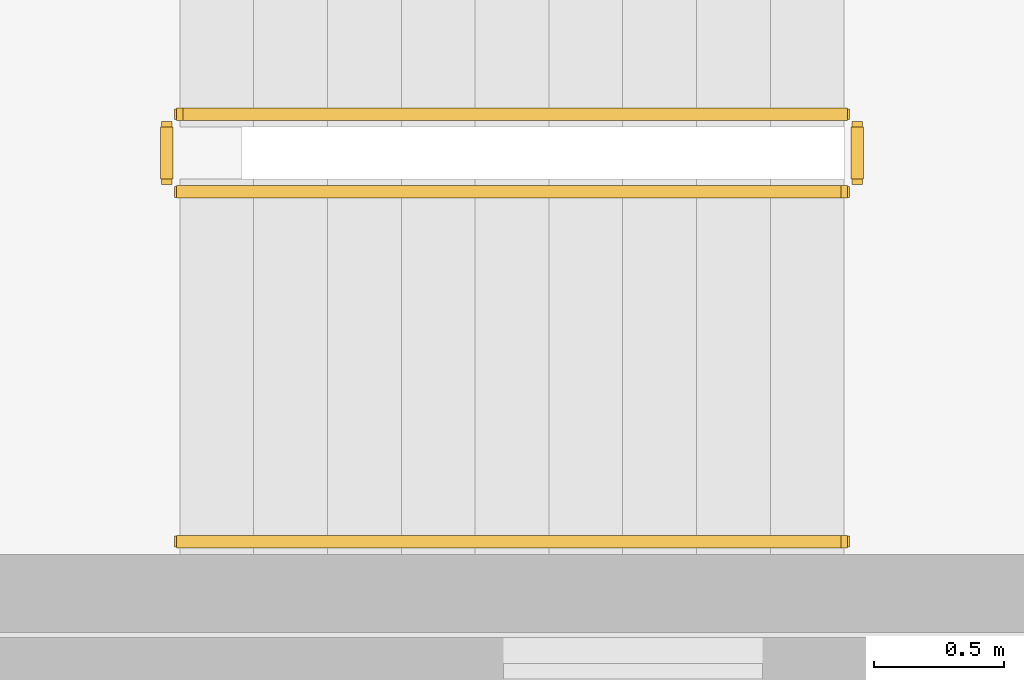
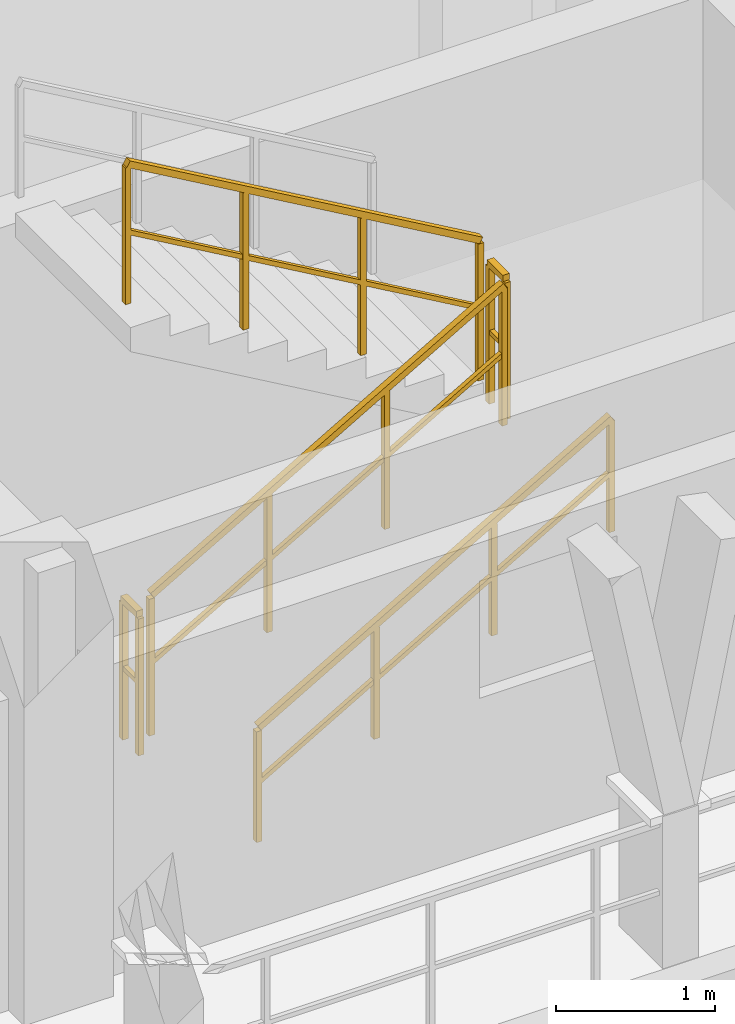
# One storey, part 65 of 75: 5 railings.
"""IFC4 building model written with IfcOpenShell, lengths in metres."""

import ifcopenshell
import ifcopenshell.guid

model = None  # the IFC model being written
_history = None  # IfcOwnerHistory: only IFC2X3 demands one
_inside = {}  # id of a spatial element -> (the spatial element, [elements in it])
_under = {}  # id of a project, library or spatial element -> (it, [spatial elements below it])
_declared = {}  # id of a project -> (the project, [libraries it declares])
_typed = {}  # id of a type object -> (the type object, [elements of that type])
_made_of = {}  # id of a material, layer set ... -> (it, [elements and type objects made of it])


def new_model(schema):
    """Start an empty IFC model of exactly this schema.

    Asked for "IFC4X3", IfcOpenShell would pick the latest addendum, in which some entities
    have other attributes; the version numbers below select the first issue.
    IFC2X3 requires an IfcOwnerHistory on every rooted entity: one is made here for all.
    """
    global model, _history
    if schema == "IFC4X3":
        model = ifcopenshell.file(schema_version=(4, 3, 0, 0))
    else:
        model = ifcopenshell.file(schema=schema)
    _inside.clear()
    _under.clear()
    _declared.clear()
    _typed.clear()
    _made_of.clear()
    _history = None
    if model.schema == "IFC2X3":
        org = make("IfcOrganization", Name="unknown")
        user = make(
            "IfcPersonAndOrganization",
            ThePerson=make("IfcPerson", FamilyName="unknown"),
            TheOrganization=org,
        )
        app = make(
            "IfcApplication",
            ApplicationDeveloper=org,
            Version="unknown",
            ApplicationFullName="unknown",
            ApplicationIdentifier="unknown",
        )
        _history = make(
            "IfcOwnerHistory",
            OwningUser=user,
            OwningApplication=app,
            ChangeAction="ADDED",
            CreationDate=0,
        )
    return model


def make(cls, **values):
    """One entity of the class cls with the attributes given. An attribute that is None is left unset."""
    return model.create_entity(
        cls, **{name: value for name, value in values.items() if value is not None}
    )


def rooted(cls, **values):
    """An entity with a GlobalId (a new one), such as an element, a storey or a relation."""
    return make(cls, GlobalId=ifcopenshell.guid.new(), OwnerHistory=_history, **values)


def si_unit(unit_type, name, prefix=None):
    """IfcSIUnit, for example si_unit("LENGTHUNIT", "METRE", prefix="MILLI")."""
    return make("IfcSIUnit", UnitType=unit_type, Prefix=prefix, Name=name)


def assignment(units):
    """IfcUnitAssignment: the units of a project."""
    return None if units is None else make("IfcUnitAssignment", Units=units)


def point(xyz):
    """IfcCartesianPoint."""
    return None if xyz is None else make("IfcCartesianPoint", Coordinates=xyz)


def direction(xyz):
    """IfcDirection."""
    return None if xyz is None else make("IfcDirection", DirectionRatios=xyz)


def frame(location, z_axis=None, x_axis=None):
    """IfcAxis2Placement3D, a coordinate frame: its origin and axes. An axis left out is left unset."""
    return make(
        "IfcAxis2Placement3D",
        Location=point(location),
        Axis=direction(z_axis),
        RefDirection=direction(x_axis),
    )


def frame_2d(location, x_axis=None):
    """IfcAxis2Placement2D, a coordinate frame in the plane: its origin and x axis."""
    return make(
        "IfcAxis2Placement2D", Location=point(location), RefDirection=direction(x_axis)
    )


def origin():
    """The frame at (0, 0, 0) with its axes left unset."""
    return frame((0.0, 0.0, 0.0))


def origin_2d():
    """The frame at (0, 0) in the plane with its x axis left unset."""
    return frame_2d((0.0, 0.0))


def place(relative_to, where):
    """IfcLocalPlacement: puts the frame where relative to a parent placement (None: the world)."""
    return make(
        "IfcLocalPlacement", PlacementRelTo=relative_to, RelativePlacement=where
    )


def context(
    kind, dimensions, precision=None, world=None, true_north=None, identifier=None
):
    """IfcGeometricRepresentationContext, for example the 3D "Model" context."""
    return make(
        "IfcGeometricRepresentationContext",
        ContextIdentifier=identifier,
        ContextType=kind,
        CoordinateSpaceDimension=dimensions,
        Precision=precision,
        WorldCoordinateSystem=world,
        TrueNorth=true_north,
    )


def subcontext(parent, identifier, kind, view, scale=None):
    """IfcGeometricRepresentationSubContext, for example "Body" below "Model"."""
    return make(
        "IfcGeometricRepresentationSubContext",
        ContextIdentifier=identifier,
        ContextType=kind,
        ParentContext=parent,
        TargetScale=scale,
        TargetView=view,
    )


def project(units=None, contexts=None):
    """IfcProject with its units and contexts."""
    return rooted(
        "IfcProject",
        Name="project",
        RepresentationContexts=contexts,
        UnitsInContext=assignment(units),
    )


def spatial(cls, under=None, at=None, **own):
    """A site, building, storey or space (cls), placed at a placement, below another one or the project."""
    s = rooted(cls, ObjectPlacement=at, **own)
    if under is not None:
        _under.setdefault(under.id(), (under, []))[1].append(s)
    return s


def profile(cls, at=None, kind="AREA", **sizes):
    """A parametric profile (cls). Its sizes go by their IFC names, for example OverallWidth=200.0."""
    return make(cls, ProfileType=kind, Position=at, **sizes)


def rectangle(**sizes):
    """IfcRectangleProfileDef."""
    return profile("IfcRectangleProfileDef", **sizes)


def extrude(swept, where, along, depth):
    """IfcExtrudedAreaSolid: the profile swept, set in the frame where, extruded along a direction by depth."""
    return make(
        "IfcExtrudedAreaSolid",
        SweptArea=swept,
        Position=where,
        ExtrudedDirection=direction(along),
        Depth=depth,
    )


def shape(context_of_items, identifier, shape_type, items):
    """IfcShapeRepresentation: the items that make up one representation, for example the "Body"."""
    return make(
        "IfcShapeRepresentation",
        ContextOfItems=context_of_items,
        RepresentationIdentifier=identifier,
        RepresentationType=shape_type,
        Items=items,
    )


def material(Name=None, Category=None):
    """IfcMaterial."""
    return make("IfcMaterial", Name=Name, Category=Category)


def made_of(thing, what):
    """Note that an element or type object is made of a material, layer set ...; save() writes the relation."""
    if what is not None:
        _made_of.setdefault(what.id(), (what, []))[1].append(thing)
    return thing


def type_object(cls, material=None, **own):
    """A type object (cls), such as IfcWallType, which elements share."""
    return made_of(rooted(cls, **own), material)


def element(
    cls,
    number,
    at=None,
    inside=None,
    cuts=None,
    type_object=None,
    material=None,
    context=None,
    identifier="Body",
    shape_type=None,
    held_by="IfcProductDefinitionShape",
    body=None,
    shapes=None,
    **own,
):
    """One element of the class cls, such as IfcWall. Its Tag is "e" and its number.

    at: its placement. inside: the storey or other place that contains it. cuts: it is an
    opening in that element (IfcRelVoidsElement). A single representation is given by context,
    identifier, shape_type and body (its items); several are given by shapes. held_by: the class
    of the entity that holds the representations. save() writes the other relations.
    """
    e = rooted(cls, Tag="e%d" % number, ObjectPlacement=at, **own)
    if body is not None:
        shapes = [shape(context, identifier, shape_type, body)]
    if shapes is not None:
        e.Representation = make(held_by, Representations=shapes)
    if inside is not None:
        _inside.setdefault(inside.id(), (inside, []))[1].append(e)
    if cuts is not None:
        rooted(
            "IfcRelVoidsElement", RelatingBuildingElement=cuts, RelatedOpeningElement=e
        )
    if type_object is not None:
        _typed.setdefault(type_object.id(), (type_object, []))[1].append(e)
    return made_of(e, material)


def aggregate(whole, parts):
    """IfcRelAggregates: a whole, such as a stair, and the parts it consists of."""
    return rooted("IfcRelAggregates", RelatingObject=whole, RelatedObjects=parts)


def save(model, path):
    """Write the relations noted so far, then the file.

    IfcRelAggregates (storeys below a building ...), IfcRelContainedInSpatialStructure (elements
    in a storey), IfcRelDefinesByType, IfcRelAssociatesMaterial and IfcRelDeclares: one each for
    every whole, place, type object, material and project.
    """
    for whole, parts in _under.values():
        aggregate(whole, parts)
    for where, things in _inside.values():
        rooted(
            "IfcRelContainedInSpatialStructure",
            RelatedElements=things,
            RelatingStructure=where,
        )
    for kind, things in _typed.values():
        rooted("IfcRelDefinesByType", RelatedObjects=things, RelatingType=kind)
    for what, things in _made_of.values():
        rooted("IfcRelAssociatesMaterial", RelatedObjects=things, RelatingMaterial=what)
    for by, libraries in _declared.values():
        rooted("IfcRelDeclares", RelatingContext=by, RelatedDefinitions=libraries)
    model.write(path)


model = new_model("IFC4")

# Units and contexts
model_context = context("Model", 3, precision=1e-05, world=origin(), true_north=direction((0.0, 1.0)))
body_context = subcontext(model_context, "Body", "Model", "MODEL_VIEW")
ifc_project = project(units=[si_unit("LENGTHUNIT", "METRE"), si_unit("AREAUNIT", "SQUARE_METRE"), si_unit("VOLUMEUNIT", "CUBIC_METRE"), si_unit("PLANEANGLEUNIT", "RADIAN"), si_unit("MASSUNIT", "GRAM", prefix="KILO")], contexts=[model_context])

# Site, building, storey
site_placement = place(None, origin())
site = spatial("IfcSite", under=ifc_project, at=site_placement, CompositionType="ELEMENT")
building_placement = place(site_placement, origin())
building = spatial("IfcBuilding", under=site, at=building_placement, Name="Suanplinth Sawtooth Commons", CompositionType="ELEMENT")
storey_placement = place(building_placement, frame((0.0, 0.0, 18.60009765625)))
storey = spatial("IfcBuildingStorey", under=building, at=storey_placement, Name="L05", CompositionType="ELEMENT", Elevation=18.60009765625)

# Railings
ifc_material = material(Name="Stainless steel Grade 304", Category="steel")
railing_type_1 = type_object("IfcRailingType", Name="GR-04", PredefinedType="GUARDRAIL", material=ifc_material)
railing_1_placement = place(storey_placement, frame((45.050048828125, 109.85009765625, 0.164794921875)))
element("IfcRailing", 1, at=railing_1_placement, inside=storey, type_object=railing_type_1, Name="L05 ST-N1 Guard 1", PredefinedType="GUARDRAIL", context=body_context, shape_type="SweptSolid", body=[
    extrude(rectangle(XDim=0.048095703125, YDim=0.048095703125, at=origin_2d()), frame((0.0, 0.0, 1.076171875), z_axis=(0.865405606168, 0.0, 0.501071987656), x_axis=(0.0, 1.0, 0.0)), (0.0, 0.0, 1.0), 2.9638671875),
    extrude(rectangle(XDim=0.03369140625, YDim=0.03369140625, at=origin_2d()), frame((0.0, 0.0, 0.550048828125), z_axis=(0.865405606168, 0.0, 0.501071987656), x_axis=(0.0, 1.0, 0.0)), (0.0, 0.0, 1.0), 2.9638671875),
    extrude(rectangle(XDim=0.0419921875, YDim=0.0419921875, at=origin_2d()), origin(), (0.0, 0.0, 1.0), 1.052001953125),
    extrude(rectangle(XDim=0.0419921875, YDim=0.0419921875, at=origin_2d()), frame((0.85498046875, 0.0, 0.4951171875)), (0.0, 0.0, 1.0), 1.052001953125),
    extrude(rectangle(XDim=0.0419921875, YDim=0.0419921875, at=origin_2d()), frame((1.7099609375, 0.0, 0.989990234375)), (0.0, 0.0, 1.0), 1.052001953125),
    extrude(rectangle(XDim=0.0419921875, YDim=0.0419921875, at=origin_2d()), frame((2.56494140625, 0.0, 1.485107421875)), (0.0, 0.0, 1.0), 1.052001953125),
])
railing_2_placement = place(storey_placement, frame((47.6650390625, 109.89990234375, 1.64990234375)))
element("IfcRailing", 2, at=railing_2_placement, inside=storey, type_object=railing_type_1, Name="L05 ST-N1 Guard 2", PredefinedType="GUARDRAIL", context=body_context, shape_type="SweptSolid", body=[
    extrude(rectangle(XDim=0.048095703125, YDim=0.048095703125, at=origin_2d()), frame((0.0, 0.0, 1.076171875), z_axis=(0.0, 1.0, 0.0), x_axis=(-1.0, 0.0, 0.0)), (0.0, 0.0, 1.0), 0.2001953125),
    extrude(rectangle(XDim=0.03369140625, YDim=0.03369140625, at=origin_2d()), frame((0.0, 0.0, 0.550048828125), z_axis=(0.0, 1.0, 0.0), x_axis=(-1.0, 0.0, 0.0)), (0.0, 0.0, 1.0), 0.2001953125),
    extrude(rectangle(XDim=0.0419921875, YDim=0.0419921875, at=origin_2d()), origin(), (0.0, 0.0, 1.0), 1.052001953125),
    extrude(rectangle(XDim=0.0419921875, YDim=0.0419921875, at=origin_2d()), frame((0.0, 0.2001953125, 0.0)), (0.0, 0.0, 1.0), 1.052001953125),
])
railing_3_placement = place(storey_placement, frame((47.614990234375, 110.14990234375, 1.81494140625)))
element("IfcRailing", 3, at=railing_3_placement, inside=storey, type_object=railing_type_1, Name="L05 ST-N1 Guard 3", PredefinedType="GUARDRAIL", context=body_context, shape_type="SweptSolid", body=[
    extrude(rectangle(XDim=0.048095703125, YDim=0.048095703125, at=origin_2d()), frame((0.0, 0.0, 1.076171875), z_axis=(-0.865441324677, 0.0, 0.50101029285), x_axis=(0.0, -1.0, 0.0)), (0.0, 0.0, 1.0), 2.963623046875),
    extrude(rectangle(XDim=0.03369140625, YDim=0.03369140625, at=origin_2d()), frame((0.0, 0.0, 0.550048828125), z_axis=(-0.865441324677, 0.0, 0.50101029285), x_axis=(0.0, -1.0, 0.0)), (0.0, 0.0, 1.0), 2.963623046875),
    extrude(rectangle(XDim=0.0419921875, YDim=0.0419921875, at=origin_2d()), origin(), (0.0, 0.0, 1.0), 1.052001953125),
    extrude(rectangle(XDim=0.0419921875, YDim=0.0419921875, at=origin_2d()), frame((-0.85498046875, 0.0, 0.494873046875)), (0.0, 0.0, 1.0), 1.052001953125),
    extrude(rectangle(XDim=0.0419921875, YDim=0.0419921875, at=origin_2d()), frame((-1.7099609375, 0.0, 0.989990234375)), (0.0, 0.0, 1.0), 1.052001953125),
    extrude(rectangle(XDim=0.0419921875, YDim=0.0419921875, at=origin_2d()), frame((-2.56494140625, 0.0, 1.48486328125)), (0.0, 0.0, 1.0), 1.052001953125),
])
railing_4_placement = place(storey_placement, frame((45.0, 109.89990234375, 0.0)))
element("IfcRailing", 4, at=railing_4_placement, inside=storey, type_object=railing_type_1, Name="L05 ST-N1 Guard 4", PredefinedType="GUARDRAIL", context=body_context, shape_type="SweptSolid", body=[
    extrude(rectangle(XDim=0.048095703125, YDim=0.048095703125, at=origin_2d()), frame((0.0, 0.0, 1.076171875), z_axis=(0.0, 1.0, 0.0), x_axis=(-1.0, 0.0, 0.0)), (0.0, 0.0, 1.0), 0.2001953125),
    extrude(rectangle(XDim=0.03369140625, YDim=0.03369140625, at=origin_2d()), frame((0.0, 0.0, 0.550048828125), z_axis=(0.0, 1.0, 0.0), x_axis=(-1.0, 0.0, 0.0)), (0.0, 0.0, 1.0), 0.2001953125),
    extrude(rectangle(XDim=0.0419921875, YDim=0.0419921875, at=origin_2d()), origin(), (0.0, 0.0, 1.0), 1.052001953125),
    extrude(rectangle(XDim=0.0419921875, YDim=0.0419921875, at=origin_2d()), frame((0.0, 0.2001953125, 0.0)), (0.0, 0.0, 1.0), 1.052001953125),
])
railing_type_2 = type_object("IfcRailingType", Name="HR-01", PredefinedType="HANDRAIL", material=ifc_material)
railing_5_placement = place(storey_placement, frame((45.050048828125, 108.5, 0.164794921875)))
element("IfcRailing", 5, at=railing_5_placement, inside=storey, type_object=railing_type_2, Name="L05 ST-N1 Handrail 1", PredefinedType="HANDRAIL", context=body_context, shape_type="SweptSolid", body=[
    extrude(rectangle(XDim=0.048095703125, YDim=0.048095703125, at=origin_2d()), frame((0.0, 0.0, 0.8759765625), z_axis=(0.865405606168, 0.0, 0.501071987656), x_axis=(0.0, 1.0, 0.0)), (0.0, 0.0, 1.0), 2.9638671875),
    extrude(rectangle(XDim=0.03369140625, YDim=0.03369140625, at=origin_2d()), frame((0.0, 0.0, 0.449951171875), z_axis=(0.865405606168, 0.0, 0.501071987656), x_axis=(0.0, 1.0, 0.0)), (0.0, 0.0, 1.0), 2.9638671875),
    extrude(rectangle(XDim=0.0419921875, YDim=0.0419921875, at=origin_2d()), origin(), (0.0, 0.0, 1.0), 0.851806640625),
    extrude(rectangle(XDim=0.0419921875, YDim=0.0419921875, at=origin_2d()), frame((0.85498046875, 0.0, 0.4951171875)), (0.0, 0.0, 1.0), 0.851806640625),
    extrude(rectangle(XDim=0.0419921875, YDim=0.0419921875, at=origin_2d()), frame((1.7099609375, 0.0, 0.989990234375)), (0.0, 0.0, 1.0), 0.851806640625),
    extrude(rectangle(XDim=0.0419921875, YDim=0.0419921875, at=origin_2d()), frame((2.56494140625, 0.0, 1.485107421875)), (0.0, 0.0, 1.0), 0.851806640625),
])

save(model, "model.ifc")
